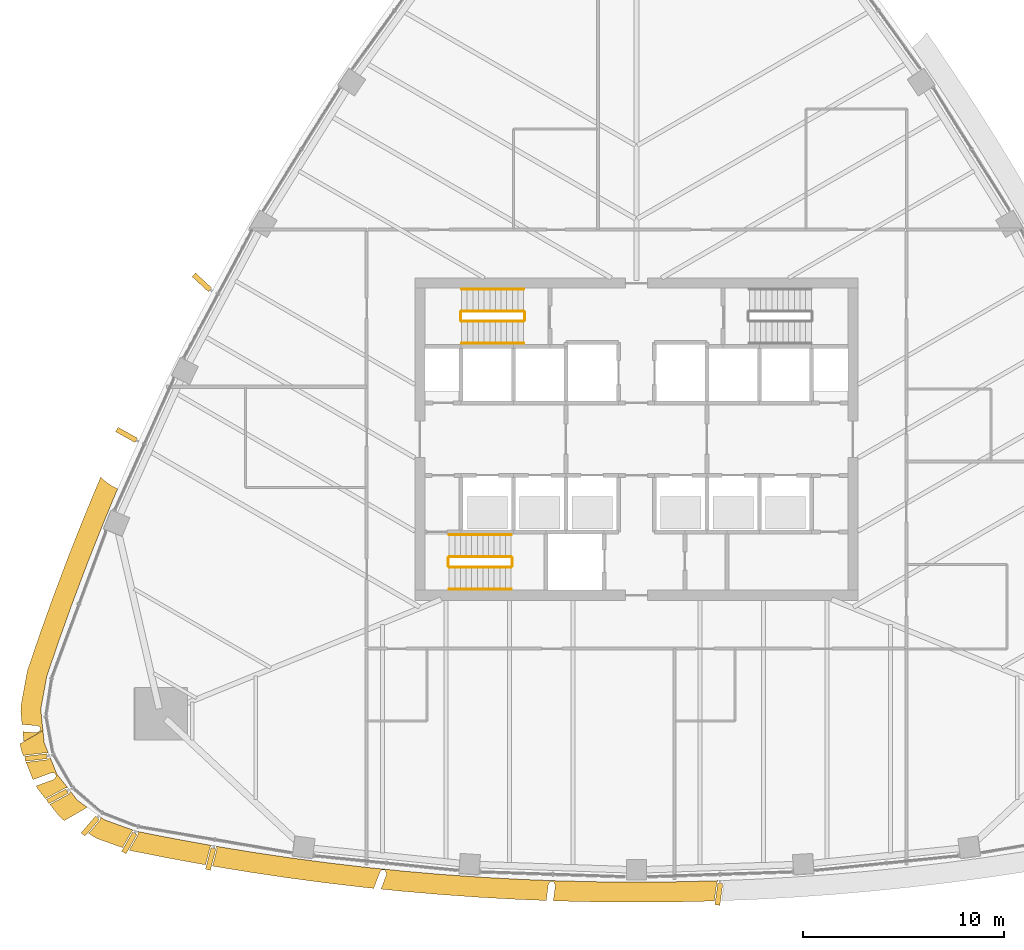
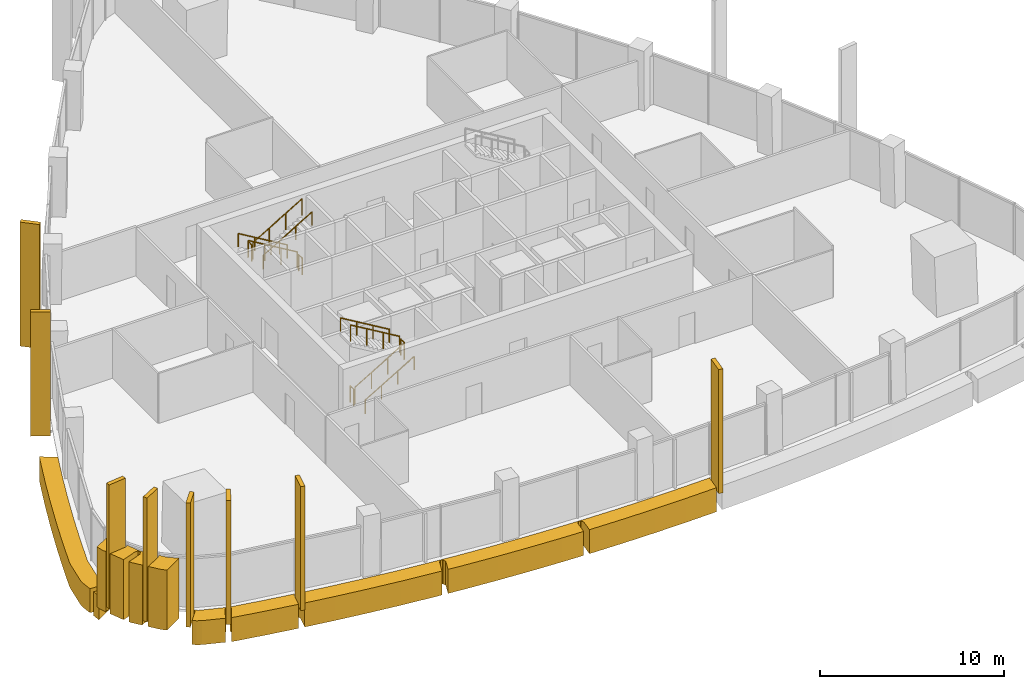
# One storey, part 16 of 19: 15 coverings, 12 railings.
"""IFC4 building model written with IfcOpenShell, lengths in metres."""

from ifc_helpers import new_model, si_unit, direction, frame, origin, origin_2d, place, context, subcontext, project, spatial, polyline, rectangle, circle, outline, extrude, material, layer, layer_set, material_profile, profile_set, type_object, element, save


model = new_model("IFC4")

# Units and contexts
model_context = context("Model", 3, precision=1e-05, world=origin(), true_north=direction((0.0, 1.0)))
body_context = subcontext(model_context, "Body", "Model", "MODEL_VIEW")
ifc_project = project(units=[si_unit("LENGTHUNIT", "METRE"), si_unit("AREAUNIT", "SQUARE_METRE"), si_unit("VOLUMEUNIT", "CUBIC_METRE"), si_unit("PLANEANGLEUNIT", "RADIAN"), si_unit("MASSUNIT", "GRAM", prefix="KILO")], contexts=[model_context])

# Site, building, storey
site_placement = place(None, origin())
site = spatial("IfcSite", under=ifc_project, at=site_placement, CompositionType="ELEMENT")
building_placement = place(site_placement, origin())
building = spatial("IfcBuilding", under=site, at=building_placement, Name="Sierra Prisma Convention Tower", CompositionType="ELEMENT")
storey_placement = place(building_placement, frame((0.0, 0.0, 177.800048828125)))
storey = spatial("IfcBuildingStorey", under=building, at=storey_placement, Name="L39", CompositionType="ELEMENT", Elevation=177.800048828125)

# Coverings
ifc_material_1 = material(Name="Aluminium composite bronze anodised", Category="aluminium")
ifc_layer_1 = layer(ifc_material_1, 1.199951171875)
ifc_layer_set_1 = layer_set([ifc_layer_1], Name="Bronze corner pier")
covering_type_1 = type_object("IfcCoveringType", Name="Bronze corner pier", PredefinedType="CLADDING", material=ifc_layer_set_1)
covering_1_placement = place(storey_placement, frame((0.0, 0.0, -0.60009765625)))
element("IfcCovering", 1, at=covering_1_placement, inside=storey, type_object=covering_type_1, Name="Corner pier SW L39.1", PredefinedType="CLADDING", context=body_context, shape_type="SweptSolid", body=[
    extrude(outline(polyline([(-28.814453125, -16.7421875), (-28.8125, -16.737548828125), (-28.810791015625, -16.73291015625), (-28.809814453125, -16.72802734375), (-28.80908203125, -16.72314453125), (-28.80908203125, -16.71826171875), (-28.809326171875, -16.713134765625), (-28.810302734375, -16.708251953125), (-28.8115234375, -16.70361328125), (-28.8134765625, -16.698974609375), (-28.815673828125, -16.694580078125), (-28.86572265625, -16.60791015625), (-28.868408203125, -16.603515625), (-28.87158203125, -16.599609375), (-28.87548828125, -16.595703125), (-28.87939453125, -16.592529296875), (-28.8837890625, -16.589599609375), (-28.88818359375, -16.58740234375), (-28.89306640625, -16.58544921875), (-28.898193359375, -16.583984375), (-28.9033203125, -16.583251953125), (-29.02490234375, -16.569091796875), (-29.029541015625, -16.568603515625), (-29.0341796875, -16.56884765625), (-29.038818359375, -16.5693359375), (-29.043212890625, -16.5703125), (-29.047607421875, -16.57177734375), (-29.9599609375, -16.90380859375), (-30.306640625, -16.04296875), (-29.2431640625, -15.91357421875), (-29.23828125, -15.912841796875), (-29.2333984375, -15.91162109375), (-29.22900390625, -15.90966796875), (-29.224609375, -15.907470703125), (-29.22021484375, -15.90478515625), (-29.21630859375, -15.901611328125), (-29.212890625, -15.898193359375), (-29.11376953125, -15.79248046875), (-28.78173828125, -16.6171875), (-28.238037109375, -17.311279296875), (-28.323486328125, -17.3134765625), (-28.327880859375, -17.313720703125), (-28.33251953125, -17.314453125), (-28.337158203125, -17.315673828125), (-28.341552734375, -17.3173828125), (-28.345703125, -17.3193359375), (-29.31640625, -17.8369140625), (-29.320556640625, -17.83935546875), (-29.324462890625, -17.84228515625), (-29.328125, -17.845458984375), (-29.331298828125, -17.84912109375), (-29.33447265625, -17.85302734375), (-29.3359375, -17.855712890625), (-29.7265625, -17.35693359375), (-29.8056640625, -17.219970703125), (-28.927978515625, -16.900634765625), (-28.923583984375, -16.898681640625), (-28.919677734375, -16.896484375), (-28.915771484375, -16.89404296875), (-28.912109375, -16.89111328125), (-28.90869140625, -16.887939453125), (-28.90576171875, -16.884521484375), (-28.903076171875, -16.880615234375), (-28.81689453125, -16.74658203125), (-28.814453125, -16.7421875)])), origin(), (0.0, 0.0, 1.0), 4.0),
])
covering_2_placement = place(storey_placement, frame((0.0, 0.0, -0.60009765625)))
element("IfcCovering", 2, at=covering_2_placement, inside=storey, type_object=covering_type_1, Name="Corner pier SW L39.2", PredefinedType="CLADDING", context=body_context, shape_type="SweptSolid", body=[
    extrude(outline(polyline([(-27.265380859375, -18.281982421875), (-28.40478515625, -18.93994140625), (-28.455810546875, -18.9033203125), (-28.698486328125, -18.669921875), (-29.12158203125, -18.129638671875), (-28.180908203125, -17.628173828125), (-28.177001953125, -17.625732421875), (-28.17333984375, -17.623046875), (-28.169921875, -17.6201171875), (-28.16650390625, -17.61669921875), (-28.163818359375, -17.61279296875), (-28.1611328125, -17.60888671875), (-28.1591796875, -17.60498046875), (-28.103515625, -17.4833984375), (-27.753662109375, -17.929931640625), (-27.265380859375, -18.281982421875)])), origin(), (0.0, 0.0, 1.0), 4.0),
])
covering_3_placement = place(storey_placement, frame((0.0, 0.0, -0.60009765625)))
element("IfcCovering", 3, at=covering_3_placement, inside=storey, type_object=covering_type_1, Name="Corner pier SW L39.3", PredefinedType="CLADDING", context=body_context, shape_type="SweptSolid", body=[
    extrude(outline(polyline([(-30.604736328125, -15.12939453125), (-29.465576171875, -14.4716796875), (-29.404541015625, -15.0703125), (-29.19580078125, -15.589111328125), (-29.264892578125, -15.568115234375), (-29.27001953125, -15.56689453125), (-29.275146484375, -15.56591796875), (-29.2802734375, -15.56591796875), (-29.285400390625, -15.566162109375), (-30.37744140625, -15.698974609375), (-30.38232421875, -15.69970703125), (-30.386962890625, -15.701171875), (-30.3916015625, -15.702880859375), (-30.39599609375, -15.705078125), (-30.400146484375, -15.707763671875), (-30.404052734375, -15.710693359375), (-30.40771484375, -15.714111328125), (-30.410888671875, -15.7177734375), (-30.41357421875, -15.7216796875), (-30.416015625, -15.72607421875), (-30.41796875, -15.730712890625), (-30.419677734375, -15.735107421875), (-30.420654296875, -15.739990234375), (-30.42138671875, -15.744873046875), (-30.42138671875, -15.749755859375), (-30.4208984375, -15.754638671875), (-30.42041015625, -15.760498046875), (-30.517822265625, -15.5185546875), (-30.598388671875, -15.191650390625), (-30.604736328125, -15.12939453125)])), origin(), (0.0, 0.0, 1.0), 4.0),
])
ifc_material_2 = material(Name="Aluminium 6063-T6 bronze anodised", Category="aluminium")
ifc_material_profile = material_profile(ifc_material_2, rectangle(XDim=1.10009765625, YDim=0.25, at=origin_2d()), Name="ALU FIN 1100x250")
ifc_profile_set = profile_set([ifc_material_profile], Name="Aluminium 6063-T6 bronze anodised")
covering_type_2 = type_object("IfcCoveringType", Name="Bronze facade fin", PredefinedType="CLADDING", material=ifc_profile_set)
for number, where, z_axis, x_axis, name in (
    (4, (-25.1767578125, -20.046142578125, -0.300048828125), (0.0, 0.0, 1.0), (-0.495080283546, -0.868847232167, 0.0), "Fin L39.1"),
    (5, (-21.13671875, -20.84521484375, -0.300048828125), (0.0, 0.0, 1.0), (-0.248306983603, -0.968681393387, 0.0), "Fin L39.2"),
    (6, (4.091796875, -22.583984375, -0.300048828125), (0.0, 0.0, 1.0), (-0.135150063688, -0.990825141125, 0.0), "Fin L39.11"),
    (7, (-21.5732421875, 7.784912109375, -0.300048828125), (0.0, 0.0, 1.0), (-0.734117547983, 0.679022404449, 0.0), "Fin L39.55"),
    (8, (-25.31396484375, 0.2080078125, -0.300048828125), (0.0, 0.0, 1.0), (-0.872964874854, 0.48778307399, 0.0), "Fin L39.58"),
    (9, (-29.810302734375, -15.806396484375, -0.300048828125), (0.0, 0.0, 1.0), (-0.992683750548, -0.120743411409, 0.0), "Fin L39.64"),
    (10, (-28.748779296875, -17.732421875, -0.300048828125), (0.0, 0.0, 1.0), (-0.882414499222, -0.470472795773, 0.0), "Fin L39.65"),
    (11, (-27.11767578125, -19.21240234375, -0.300048828125), (0.0, 0.0, 1.0), (-0.653487014227, -0.756937726789, 0.0), "Fin L39.66"),
):
    element("IfcCovering", number, at=place(storey_placement, frame(where, z_axis=z_axis, x_axis=x_axis)), inside=storey, type_object=covering_type_2, Name=name, ObjectType="FIN", PredefinedType="CLADDING", context=body_context, shape_type="SweptSolid", body=[
        extrude(rectangle(XDim=1.10009765625, YDim=0.25, at=origin_2d()), origin(), (0.0, 0.0, 1.0), 8.25),
    ])
ifc_material_3 = material(Name="Aluminium composite bronze anodised", Category="aluminium")
ifc_layer_2 = layer(ifc_material_3, 1.0)
ifc_layer_set_2 = layer_set([ifc_layer_2], Name="Bronze spandrel band")
covering_type_3 = type_object("IfcCoveringType", Name="Bronze spandrel band", PredefinedType="CLADDING", material=ifc_layer_set_2)
covering_4_placement = place(storey_placement, frame((0.0, 0.0, -1.60009765625)))
element("IfcCovering", 12, at=covering_4_placement, inside=storey, type_object=covering_type_3, Name="Spandrel band L39.1", PredefinedType="CLADDING", context=body_context, shape_type="SweptSolid", body=[
    extrude(outline(polyline([(-29.609375, -14.3203125), (-29.610595703125, -14.315673828125), (-29.6123046875, -14.310791015625), (-29.6142578125, -14.306396484375), (-29.61669921875, -14.302001953125), (-29.61962890625, -14.298095703125), (-29.623046875, -14.29443359375), (-29.626708984375, -14.291015625), (-29.630615234375, -14.2880859375), (-29.635009765625, -14.28564453125), (-29.734130859375, -14.232177734375), (-29.73876953125, -14.22998046875), (-29.74365234375, -14.228271484375), (-29.748779296875, -14.22705078125), (-29.75390625, -14.226318359375), (-30.50146484375, -14.16943359375), (-30.568115234375, -13.512451171875), (-30.55712890625, -13.232177734375), (-30.25830078125, -11.591552734375), (-30.220947265625, -11.447998046875), (-29.599853515625, -9.627685546875), (-29.5947265625, -9.613037109375), (-28.945556640625, -7.802734375), (-28.940185546875, -7.7880859375), (-28.2626953125, -5.98828125), (-28.257080078125, -5.9736328125), (-27.552001953125, -4.1845703125), (-27.5458984375, -4.169921875), (-26.81298828125, -2.39208984375), (-26.806884765625, -2.377685546875), (-26.595703125, -1.8876953125), (-26.4443359375, -2.033203125), (-26.25, -2.186279296875), (-26.041748046875, -2.31982421875), (-25.821533203125, -2.43212890625), (-25.75439453125, -2.462158203125), (-25.888427734375, -2.773193359375), (-26.62158203125, -4.55126953125), (-27.326904296875, -6.34033203125), (-28.00439453125, -8.140380859375), (-28.653564453125, -9.95068359375), (-29.2744140625, -11.770751953125), (-29.5732421875, -13.411376953125), (-29.466552734375, -14.460693359375), (-30.416015625, -15.0087890625), (-30.46533203125, -14.523193359375), (-29.780517578125, -14.575439453125), (-29.775634765625, -14.575439453125), (-29.770751953125, -14.5751953125), (-29.765869140625, -14.57421875), (-29.760986328125, -14.572998046875), (-29.75634765625, -14.5712890625), (-29.751953125, -14.56884765625), (-29.747802734375, -14.566162109375), (-29.611083984375, -14.468505859375), (-29.607421875, -14.465576171875), (-29.60400390625, -14.46240234375), (-29.600830078125, -14.458740234375), (-29.59814453125, -14.454833984375), (-29.595703125, -14.450927734375), (-29.59375, -14.446533203125), (-29.59228515625, -14.442138671875), (-29.591064453125, -14.4375), (-29.59033203125, -14.432861328125), (-29.590087890625, -14.427978515625), (-29.59033203125, -14.42333984375), (-29.591064453125, -14.418701171875), (-29.609375, -14.3203125)])), origin(), (0.0, 0.0, 1.0), 1.60009765625),
])
covering_5_placement = place(storey_placement, frame((0.0, 0.0, -1.60009765625)))
element("IfcCovering", 13, at=covering_5_placement, inside=storey, type_object=covering_type_3, Name="Spandrel band L39.2", PredefinedType="CLADDING", context=body_context, shape_type="SweptSolid", body=[
    extrude(outline(polyline([(-25.048095703125, -19.470458984375), (-25.05126953125, -19.473876953125), (-25.05419921875, -19.4775390625), (-25.056396484375, -19.4814453125), (-25.51416015625, -20.28466796875), (-26.73779296875, -19.84716796875), (-26.986328125, -19.716552734375), (-27.193115234375, -19.5673828125), (-26.625732421875, -18.910400390625), (-26.62255859375, -18.906494140625), (-26.619873046875, -18.902099609375), (-26.61767578125, -18.897705078125), (-26.615966796875, -18.892822265625), (-26.614501953125, -18.88818359375), (-26.61376953125, -18.883056640625), (-26.6005859375, -18.76171875), (-26.401123046875, -18.905517578125), (-24.9697265625, -19.41748046875), (-25.040771484375, -19.464599609375), (-25.044677734375, -19.46728515625), (-25.048095703125, -19.470458984375)])), origin(), (0.0, 0.0, 1.0), 1.60009765625),
])
covering_6_placement = place(storey_placement, frame((0.0, 0.0, -1.60009765625)))
element("IfcCovering", 14, at=covering_6_placement, inside=storey, type_object=covering_type_3, Name="Spandrel band L39.8", PredefinedType="CLADDING", context=body_context, shape_type="SweptSolid", body=[
    extrude(outline(polyline([(-4.107666015625, -21.98095703125), (-4.11083984375, -21.977294921875), (-4.1142578125, -21.97412109375), (-4.117919921875, -21.97119140625), (-4.1220703125, -21.968505859375), (-4.12646484375, -21.96630859375), (-4.130859375, -21.964599609375), (-4.135498046875, -21.96337890625), (-4.14013671875, -21.96240234375), (-4.14501953125, -21.962158203125), (-4.244873046875, -21.958251953125), (-4.249755859375, -21.958251953125), (-4.25439453125, -21.958740234375), (-4.25927734375, -21.959716796875), (-4.263916015625, -21.961181640625), (-4.268310546875, -21.963134765625), (-4.272705078125, -21.96533203125), (-4.276611328125, -21.968017578125), (-4.280517578125, -21.97119140625), (-4.28369140625, -21.974609375), (-4.286865234375, -21.978515625), (-4.365478515625, -22.08447265625), (-4.368408203125, -22.0888671875), (-4.370849609375, -22.09326171875), (-4.372802734375, -22.097900390625), (-4.374267578125, -22.102783203125), (-4.375, -22.10791015625), (-4.4765625, -22.90771484375), (-5.806396484375, -22.855712890625), (-5.822021484375, -22.85498046875), (-7.742431640625, -22.750244140625), (-7.758056640625, -22.749267578125), (-9.676513671875, -22.614501953125), (-9.69189453125, -22.61328125), (-11.608154296875, -22.448486328125), (-11.62353515625, -22.447021484375), (-12.682373046875, -22.339599609375), (-12.411376953125, -21.625732421875), (-12.409912109375, -21.62109375), (-12.40869140625, -21.6162109375), (-12.408203125, -21.611083984375), (-12.408203125, -21.606201171875), (-12.408447265625, -21.601318359375), (-12.409423828125, -21.596435546875), (-12.410888671875, -21.591552734375), (-12.4658203125, -21.432861328125), (-12.467529296875, -21.428466796875), (-12.4697265625, -21.42431640625), (-12.472412109375, -21.42041015625), (-12.47509765625, -21.41650390625), (-12.478515625, -21.4130859375), (-12.482177734375, -21.41015625), (-12.48583984375, -21.4072265625), (-12.489990234375, -21.40478515625), (-12.494384765625, -21.40283203125), (-12.498779296875, -21.4013671875), (-12.50341796875, -21.400146484375), (-12.508056640625, -21.3994140625), (-12.607421875, -21.389404296875), (-12.612548828125, -21.38916015625), (-12.617431640625, -21.389404296875), (-12.622314453125, -21.39013671875), (-12.627197265625, -21.391357421875), (-12.6318359375, -21.39306640625), (-12.63623046875, -21.39501953125), (-12.640380859375, -21.397705078125), (-12.644287109375, -21.400634765625), (-12.648193359375, -21.404052734375), (-12.727294921875, -21.484130859375), (-12.730712890625, -21.488037109375), (-12.73388671875, -21.4921875), (-12.736328125, -21.49658203125), (-12.738525390625, -21.50146484375), (-13.04296875, -22.302734375), (-13.537109375, -22.252685546875), (-13.552490234375, -22.2509765625), (-15.46240234375, -22.026611328125), (-15.47802734375, -22.024658203125), (-17.38427734375, -21.7705078125), (-17.39990234375, -21.768310546875), (-19.302001953125, -21.484619140625), (-19.3173828125, -21.482177734375), (-21.046142578125, -21.19677734375), (-20.830810546875, -20.355712890625), (-20.82958984375, -20.350830078125), (-20.8291015625, -20.345947265625), (-20.8291015625, -20.3408203125), (-20.82958984375, -20.335693359375), (-20.830810546875, -20.330810546875), (-20.832275390625, -20.326171875), (-20.87451171875, -20.21142578125), (-19.154296875, -20.49560546875), (-17.252197265625, -20.779296875), (-15.345947265625, -21.033447265625), (-13.435791015625, -21.2578125), (-11.5224609375, -21.4521484375), (-9.6064453125, -21.616943359375), (-7.68798828125, -21.751708984375), (-5.767578125, -21.856689453125), (-3.845703125, -21.931396484375), (-1.923095703125, -21.976318359375), (0.0, -21.991455078125), (1.923095703125, -21.976318359375), (3.845703125, -21.931396484375), (4.04931640625, -21.923583984375), (4.001220703125, -21.993896484375), (3.99853515625, -21.997802734375), (3.99658203125, -22.001953125), (3.994873046875, -22.00634765625), (3.99365234375, -22.010986328125), (3.992919921875, -22.015380859375), (3.867919921875, -22.93115234375), (1.946533203125, -22.976318359375), (1.930908203125, -22.976318359375), (0.0078125, -22.991455078125), (-0.0078125, -22.991455078125), (-1.930908203125, -22.976318359375), (-1.946533203125, -22.976318359375), (-3.869140625, -22.93115234375), (-3.884765625, -22.9306640625), (-4.12548828125, -22.92138671875), (-4.02783203125, -22.152099609375), (-4.027587890625, -22.14697265625), (-4.027587890625, -22.14208984375), (-4.0283203125, -22.136962890625), (-4.029296875, -22.132080078125), (-4.031005859375, -22.127197265625), (-4.033203125, -22.122802734375), (-4.1025390625, -21.989013671875), (-4.10498046875, -21.98486328125), (-4.107666015625, -21.98095703125)])), origin(), (0.0, 0.0, 1.0), 1.60009765625),
])
covering_7_placement = place(storey_placement, frame((0.0, 0.0, -1.60009765625)))
element("IfcCovering", 15, at=covering_7_placement, inside=storey, type_object=covering_type_3, Name="Spandrel band L39.9", PredefinedType="CLADDING", context=body_context, shape_type="SweptSolid", body=[
    extrude(outline(polyline([(-21.166259765625, -20.25927734375), (-21.168212890625, -20.263916015625), (-21.169677734375, -20.268798828125), (-21.39208984375, -21.13671875), (-23.12255859375, -20.8232421875), (-23.137939453125, -20.8203125), (-25.024658203125, -20.447998046875), (-25.167724609375, -20.40869140625), (-25.1796875, -20.404296875), (-24.75244140625, -19.65478515625), (-24.750244140625, -19.650634765625), (-24.74853515625, -19.646240234375), (-24.747314453125, -19.641845703125), (-24.746337890625, -19.63720703125), (-24.74609375, -19.6328125), (-24.745849609375, -19.628173828125), (-24.746337890625, -19.623291015625), (-24.765380859375, -19.47998046875), (-22.9443359375, -19.83935546875), (-21.089111328125, -20.175537109375), (-21.157470703125, -20.246826171875), (-21.160888671875, -20.250732421875), (-21.163818359375, -20.2548828125), (-21.166259765625, -20.25927734375)])), origin(), (0.0, 0.0, 1.0), 1.60009765625),
])

# Railings
ifc_material_4 = material(Name="Stainless steel", Category="steel")
railing_type_1 = type_object("IfcRailingType", Name="Exit stair handrail", PredefinedType="HANDRAIL", material=ifc_material_4)
railing_1_placement = place(storey_placement, frame((-9.300048828125, -7.449951171875, 0.16650390625)))
element("IfcRailing", 16, at=railing_1_placement, inside=storey, type_object=railing_type_1, Name="L39 S1 stair handrail 1", PredefinedType="HANDRAIL", context=body_context, shape_type="SweptSolid", body=[
    extrude(circle(Radius=0.02392578125, at=origin_2d()), frame((0.0, 0.0, 0.8759765625), z_axis=(0.85927862911, 0.0, 0.511507807912), x_axis=(0.0, 1.0, 0.0)), (0.0, 0.0, 1.0), 3.58447265625),
    extrude(circle(Radius=0.02099609375, at=origin_2d()), origin(), (0.0, 0.0, 1.0), 0.851806640625),
    extrude(circle(Radius=0.02099609375, at=origin_2d()), frame((1.026611328125, 0.0, 0.611083984375)), (0.0, 0.0, 1.0), 0.851806640625),
    extrude(circle(Radius=0.02099609375, at=origin_2d()), frame((2.053466796875, 0.0, 1.222412109375)), (0.0, 0.0, 1.0), 0.851806640625),
    extrude(circle(Radius=0.02099609375, at=origin_2d()), frame((3.080078125, 0.0, 1.83349609375)), (0.0, 0.0, 1.0), 0.851806640625),
])
railing_2_placement = place(storey_placement, frame((-6.219970703125, -4.75, 2.16650390625)))
element("IfcRailing", 17, at=railing_2_placement, inside=storey, type_object=railing_type_1, Name="L39 S1 stair handrail 2", PredefinedType="HANDRAIL", context=body_context, shape_type="SweptSolid", body=[
    extrude(circle(Radius=0.02392578125, at=origin_2d()), frame((0.0, 0.0, 0.8759765625), z_axis=(-0.85927862911, 0.0, 0.511507807912), x_axis=(0.0, -1.0, 0.0)), (0.0, 0.0, 1.0), 3.58447265625),
    extrude(circle(Radius=0.02099609375, at=origin_2d()), origin(), (0.0, 0.0, 1.0), 0.851806640625),
    extrude(circle(Radius=0.02099609375, at=origin_2d()), frame((-1.026611328125, 0.0, 0.611083984375)), (0.0, 0.0, 1.0), 0.851806640625),
    extrude(circle(Radius=0.02099609375, at=origin_2d()), frame((-2.053466796875, 0.0, 1.222412109375)), (0.0, 0.0, 1.0), 0.851806640625),
    extrude(circle(Radius=0.02099609375, at=origin_2d()), frame((-3.080078125, 0.0, 1.83349609375)), (0.0, 0.0, 1.0), 0.851806640625),
])
railing_3_placement = place(storey_placement, frame((-5.60009765625, 7.449951171875, 0.16650390625)))
element("IfcRailing", 18, at=railing_3_placement, inside=storey, type_object=railing_type_1, Name="L39 S3 stair handrail 1", PredefinedType="HANDRAIL", context=body_context, shape_type="SweptSolid", body=[
    extrude(circle(Radius=0.02392578125, at=origin_2d()), frame((0.0, 0.0, 0.8759765625), z_axis=(-0.859260807169, 0.0, 0.511537745687), x_axis=(0.0, -1.0, 0.0)), (0.0, 0.0, 1.0), 3.584228515625),
    extrude(circle(Radius=0.02099609375, at=origin_2d()), origin(), (0.0, 0.0, 1.0), 0.851806640625),
    extrude(circle(Radius=0.02099609375, at=origin_2d()), frame((-1.026611328125, 0.0, 0.611083984375)), (0.0, 0.0, 1.0), 0.851806640625),
    extrude(circle(Radius=0.02099609375, at=origin_2d()), frame((-2.05322265625, 0.0, 1.222412109375)), (0.0, 0.0, 1.0), 0.851806640625),
    extrude(circle(Radius=0.02099609375, at=origin_2d()), frame((-3.079833984375, 0.0, 1.83349609375)), (0.0, 0.0, 1.0), 0.851806640625),
])
railing_4_placement = place(storey_placement, frame((-8.679931640625, 4.75, 2.16650390625)))
element("IfcRailing", 19, at=railing_4_placement, inside=storey, type_object=railing_type_1, Name="L39 S3 stair handrail 2", PredefinedType="HANDRAIL", context=body_context, shape_type="SweptSolid", body=[
    extrude(circle(Radius=0.02392578125, at=origin_2d()), frame((0.0, 0.0, 0.8759765625), z_axis=(0.859260807169, 0.0, 0.511537745687), x_axis=(0.0, 1.0, 0.0)), (0.0, 0.0, 1.0), 3.584228515625),
    extrude(circle(Radius=0.02099609375, at=origin_2d()), origin(), (0.0, 0.0, 1.0), 0.851806640625),
    extrude(circle(Radius=0.02099609375, at=origin_2d()), frame((1.026611328125, 0.0, 0.611083984375)), (0.0, 0.0, 1.0), 0.851806640625),
    extrude(circle(Radius=0.02099609375, at=origin_2d()), frame((2.05322265625, 0.0, 1.222412109375)), (0.0, 0.0, 1.0), 0.851806640625),
    extrude(circle(Radius=0.02099609375, at=origin_2d()), frame((3.079833984375, 0.0, 1.83349609375)), (0.0, 0.0, 1.0), 0.851806640625),
])
ifc_material_5 = material(Name="Stainless steel", Category="steel")
railing_type_2 = type_object("IfcRailingType", Name="Stair guard 1100", PredefinedType="GUARDRAIL", material=ifc_material_5)
railing_5_placement = place(storey_placement, frame((-9.300048828125, -6.35009765625, 0.16650390625)))
element("IfcRailing", 20, at=railing_5_placement, inside=storey, type_object=railing_type_2, Name="L39 S1 stair guard 1", PredefinedType="GUARDRAIL", context=body_context, shape_type="SweptSolid", body=[
    extrude(circle(Radius=0.02392578125, at=origin_2d()), frame((0.0, 0.0, 1.076171875), z_axis=(0.85927862911, 0.0, 0.511507807912), x_axis=(0.0, 1.0, 0.0)), (0.0, 0.0, 1.0), 3.58447265625),
    extrude(circle(Radius=0.02099609375, at=origin_2d()), origin(), (0.0, 0.0, 1.0), 1.052001953125),
    extrude(circle(Radius=0.02099609375, at=origin_2d()), frame((1.026611328125, 0.0, 0.611083984375)), (0.0, 0.0, 1.0), 1.052001953125),
    extrude(circle(Radius=0.02099609375, at=origin_2d()), frame((2.053466796875, 0.0, 1.222412109375)), (0.0, 0.0, 1.0), 1.052001953125),
    extrude(circle(Radius=0.02099609375, at=origin_2d()), frame((3.080078125, 0.0, 1.83349609375)), (0.0, 0.0, 1.0), 1.052001953125),
])
railing_6_placement = place(storey_placement, frame((-6.169921875, -6.300048828125, 2.0)))
element("IfcRailing", 21, at=railing_6_placement, inside=storey, type_object=railing_type_2, Name="L39 S1 stair guard 2", PredefinedType="GUARDRAIL", context=body_context, shape_type="SweptSolid", body=[
    extrude(circle(Radius=0.02392578125, at=origin_2d()), frame((0.0, 0.0, 1.076171875), z_axis=(0.0, 1.0, 0.0), x_axis=(-1.0, 0.0, 0.0)), (0.0, 0.0, 1.0), 0.400146484375),
    extrude(circle(Radius=0.02099609375, at=origin_2d()), origin(), (0.0, 0.0, 1.0), 1.052001953125),
    extrude(circle(Radius=0.02099609375, at=origin_2d()), frame((0.0, 0.400146484375, 0.0)), (0.0, 0.0, 1.0), 1.052001953125),
])
railing_7_placement = place(storey_placement, frame((-6.219970703125, -5.85009765625, 2.16650390625)))
element("IfcRailing", 22, at=railing_7_placement, inside=storey, type_object=railing_type_2, Name="L39 S1 stair guard 3", PredefinedType="GUARDRAIL", context=body_context, shape_type="SweptSolid", body=[
    extrude(circle(Radius=0.02392578125, at=origin_2d()), frame((0.0, 0.0, 1.076171875), z_axis=(-0.85927862911, 0.0, 0.511507807912), x_axis=(0.0, -1.0, 0.0)), (0.0, 0.0, 1.0), 3.58447265625),
    extrude(circle(Radius=0.02099609375, at=origin_2d()), origin(), (0.0, 0.0, 1.0), 1.052001953125),
    extrude(circle(Radius=0.02099609375, at=origin_2d()), frame((-1.026611328125, 0.0, 0.611083984375)), (0.0, 0.0, 1.0), 1.052001953125),
    extrude(circle(Radius=0.02099609375, at=origin_2d()), frame((-2.053466796875, 0.0, 1.222412109375)), (0.0, 0.0, 1.0), 1.052001953125),
    extrude(circle(Radius=0.02099609375, at=origin_2d()), frame((-3.080078125, 0.0, 1.83349609375)), (0.0, 0.0, 1.0), 1.052001953125),
])
railing_8_placement = place(storey_placement, frame((-9.35009765625, -6.300048828125, 0.0)))
element("IfcRailing", 23, at=railing_8_placement, inside=storey, type_object=railing_type_2, Name="L39 S1 stair guard 4", PredefinedType="GUARDRAIL", context=body_context, shape_type="SweptSolid", body=[
    extrude(circle(Radius=0.02392578125, at=origin_2d()), frame((0.0, 0.0, 1.076171875), z_axis=(0.0, 1.0, 0.0), x_axis=(-1.0, 0.0, 0.0)), (0.0, 0.0, 1.0), 0.400146484375),
    extrude(circle(Radius=0.02099609375, at=origin_2d()), origin(), (0.0, 0.0, 1.0), 1.052001953125),
    extrude(circle(Radius=0.02099609375, at=origin_2d()), frame((0.0, 0.400146484375, 0.0)), (0.0, 0.0, 1.0), 1.052001953125),
])
railing_9_placement = place(storey_placement, frame((-5.60009765625, 6.35009765625, 0.16650390625)))
element("IfcRailing", 24, at=railing_9_placement, inside=storey, type_object=railing_type_2, Name="L39 S3 stair guard 1", PredefinedType="GUARDRAIL", context=body_context, shape_type="SweptSolid", body=[
    extrude(circle(Radius=0.02392578125, at=origin_2d()), frame((0.0, 0.0, 1.076171875), z_axis=(-0.859260807169, 0.0, 0.511537745687), x_axis=(0.0, -1.0, 0.0)), (0.0, 0.0, 1.0), 3.584228515625),
    extrude(circle(Radius=0.02099609375, at=origin_2d()), origin(), (0.0, 0.0, 1.0), 1.052001953125),
    extrude(circle(Radius=0.02099609375, at=origin_2d()), frame((-1.026611328125, 0.0, 0.611083984375)), (0.0, 0.0, 1.0), 1.052001953125),
    extrude(circle(Radius=0.02099609375, at=origin_2d()), frame((-2.05322265625, 0.0, 1.222412109375)), (0.0, 0.0, 1.0), 1.052001953125),
    extrude(circle(Radius=0.02099609375, at=origin_2d()), frame((-3.079833984375, 0.0, 1.83349609375)), (0.0, 0.0, 1.0), 1.052001953125),
])
railing_10_placement = place(storey_placement, frame((-8.72998046875, 6.300048828125, 2.0)))
element("IfcRailing", 25, at=railing_10_placement, inside=storey, type_object=railing_type_2, Name="L39 S3 stair guard 2", PredefinedType="GUARDRAIL", context=body_context, shape_type="SweptSolid", body=[
    extrude(circle(Radius=0.02392578125, at=origin_2d()), frame((0.0, 0.0, 1.076171875), z_axis=(0.0, -1.0, 0.0), x_axis=(1.0, 0.0, 0.0)), (0.0, 0.0, 1.0), 0.400146484375),
    extrude(circle(Radius=0.02099609375, at=origin_2d()), origin(), (0.0, 0.0, 1.0), 1.052001953125),
    extrude(circle(Radius=0.02099609375, at=origin_2d()), frame((0.0, -0.400146484375, 0.0)), (0.0, 0.0, 1.0), 1.052001953125),
])
railing_11_placement = place(storey_placement, frame((-8.679931640625, 5.85009765625, 2.16650390625)))
element("IfcRailing", 26, at=railing_11_placement, inside=storey, type_object=railing_type_2, Name="L39 S3 stair guard 3", PredefinedType="GUARDRAIL", context=body_context, shape_type="SweptSolid", body=[
    extrude(circle(Radius=0.02392578125, at=origin_2d()), frame((0.0, 0.0, 1.076171875), z_axis=(0.859260807169, 0.0, 0.511537745687), x_axis=(0.0, 1.0, 0.0)), (0.0, 0.0, 1.0), 3.584228515625),
    extrude(circle(Radius=0.02099609375, at=origin_2d()), origin(), (0.0, 0.0, 1.0), 1.052001953125),
    extrude(circle(Radius=0.02099609375, at=origin_2d()), frame((1.026611328125, 0.0, 0.611083984375)), (0.0, 0.0, 1.0), 1.052001953125),
    extrude(circle(Radius=0.02099609375, at=origin_2d()), frame((2.05322265625, 0.0, 1.222412109375)), (0.0, 0.0, 1.0), 1.052001953125),
    extrude(circle(Radius=0.02099609375, at=origin_2d()), frame((3.079833984375, 0.0, 1.83349609375)), (0.0, 0.0, 1.0), 1.052001953125),
])
railing_12_placement = place(storey_placement, frame((-5.550048828125, 6.300048828125, 0.0)))
element("IfcRailing", 27, at=railing_12_placement, inside=storey, type_object=railing_type_2, Name="L39 S3 stair guard 4", PredefinedType="GUARDRAIL", context=body_context, shape_type="SweptSolid", body=[
    extrude(circle(Radius=0.02392578125, at=origin_2d()), frame((0.0, 0.0, 1.076171875), z_axis=(0.0, -1.0, 0.0), x_axis=(1.0, 0.0, 0.0)), (0.0, 0.0, 1.0), 0.400146484375),
    extrude(circle(Radius=0.02099609375, at=origin_2d()), origin(), (0.0, 0.0, 1.0), 1.052001953125),
    extrude(circle(Radius=0.02099609375, at=origin_2d()), frame((0.0, -0.400146484375, 0.0)), (0.0, 0.0, 1.0), 1.052001953125),
])

save(model, "model.ifc")
